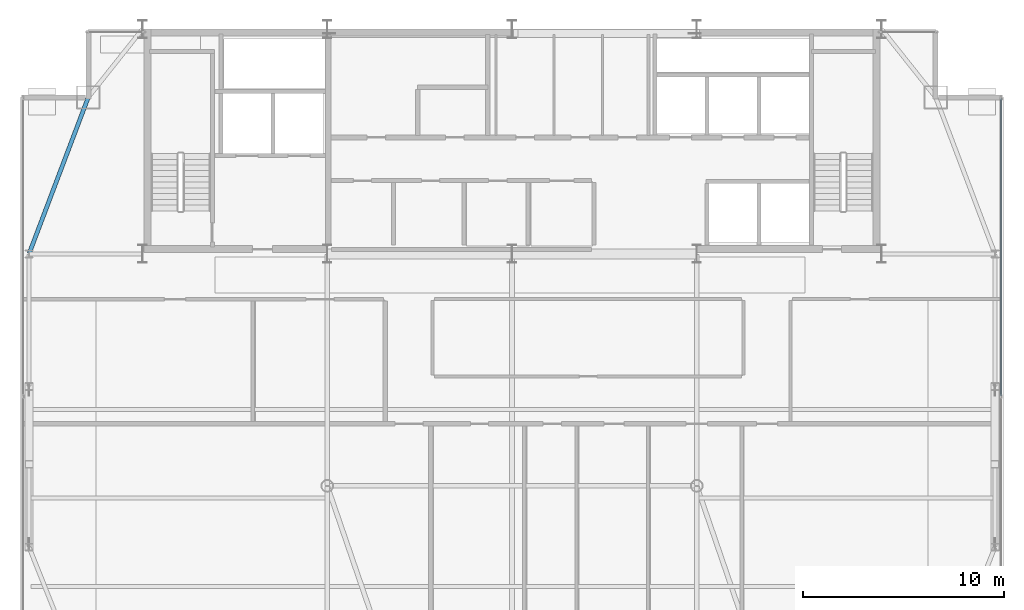
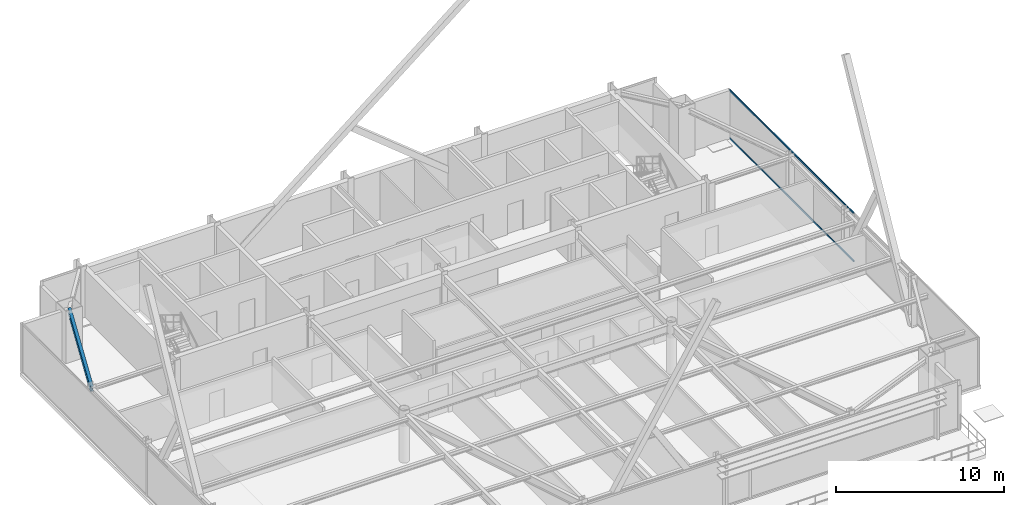
# One storey, part 21 of 33: 2 members, 1 beam, 1 element without a shape of its own.
"""IFC4 building model written with IfcOpenShell, lengths in metres."""

from ifc_helpers import new_model, si_unit, direction, frame, origin, origin_2d, place, context, subcontext, project, spatial, hollow_rectangle, i_section, extrude, source, transform, mapped, material, layer, layer_set, material_profile, profile_set, type_object, type_shapes, element, aggregate, save


model = new_model("IFC4")

# Units and contexts
model_context = context("Model", 3, precision=1e-05, world=origin(), true_north=direction((0.0, 1.0)))
body_context = subcontext(model_context, "Body", "Model", "MODEL_VIEW")
ifc_project = project(units=[si_unit("LENGTHUNIT", "METRE"), si_unit("AREAUNIT", "SQUARE_METRE"), si_unit("VOLUMEUNIT", "CUBIC_METRE"), si_unit("PLANEANGLEUNIT", "RADIAN"), si_unit("MASSUNIT", "GRAM", prefix="KILO")], contexts=[model_context])

# Site, building, storey
site_placement = place(None, origin())
site = spatial("IfcSite", under=ifc_project, at=site_placement, CompositionType="ELEMENT")
building_placement = place(site_placement, origin())
building = spatial("IfcBuilding", under=site, at=building_placement, Name="Varnel Quay Broadcast Tower", CompositionType="ELEMENT")
storey_placement = place(building_placement, frame((0.0, 0.0, 199.800048828125)))
storey = spatial("IfcBuildingStorey", under=building, at=storey_placement, Name="L49", CompositionType="ELEMENT", Elevation=199.800048828125)

# Beam
ifc_material_1 = material(Name="Structural Steel CSA G40.21 350W", Category="steel")
ifc_material_profile_1 = material_profile(ifc_material_1, i_section(OverallWidth=0.205078125, OverallDepth=0.35400390625, WebThickness=0.009521484375, FlangeThickness=0.016845703125, FilletRadius=0.012939453125, at=origin_2d()), Name="W360X79")
ifc_profile_set_1 = profile_set([ifc_material_profile_1], Name="Structural Steel CSA G40.21 350W")
beam_type = type_object("IfcBeamType", Name="Beam_W360X79", PredefinedType="SPANDREL", material=ifc_profile_set_1)
shared_shape_1 = source(origin(), body_context, "Body", "SweptSolid", [
    extrude(i_section(OverallWidth=0.205078125, OverallDepth=0.35400390625, WebThickness=0.009521484375, FlangeThickness=0.016845703125, FilletRadius=0.012939453125, at=origin_2d()), origin(), (0.0, 0.0, 1.0), 8.29931640625),
])
type_shapes(beam_type, [shared_shape_1])
beam_placement = place(storey_placement, frame((9.95703125, 35.61865234375, 3.373046875), z_axis=(0.353739782058, 0.935343876117, 0.0), x_axis=(-0.935343876117, 0.353739782058, 0.0)))
element("IfcBeam", 1, at=beam_placement, inside=storey, type_object=beam_type, Name="L49 West Spandrel TC-W3-MC-NW", PredefinedType="SPANDREL", context=body_context, shape_type="MappedRepresentation", body=[
    mapped(shared_shape_1, transform((0.0, 0.0, 0.0), x_axis=(1.0, 0.0, 0.0), y_axis=(0.0, 1.0, 0.0), z_axis=(0.0, 0.0, 1.0), scale=1.0)),
])

# Curtain wall, members
ifc_material_2 = material(Name="Anodised Bronze Aluminium 6063-T6", Category="aluminium")
ifc_layer = layer(ifc_material_2, 0.18994140625, Name="Anodised Bronze Aluminium 6063-T6")
ifc_layer_set = layer_set([ifc_layer], Name="Anodised Bronze Aluminium 6063-T6")
curtain_wall_type = type_object("IfcCurtainWallType", Name="CW_UpperTower", PredefinedType="NOTDEFINED", material=ifc_layer_set)
curtain_wall_placement = place(storey_placement, origin())
curtain_wall = element("IfcCurtainWall", 2, at=curtain_wall_placement, inside=storey, type_object=curtain_wall_type, Name="L49 East Unitised Curtain Wall", PredefinedType="NOTDEFINED")
ifc_material_profile_2 = material_profile(ifc_material_2, hollow_rectangle(XDim=0.06005859375, YDim=0.125, WallThickness=0.0029296875, at=origin_2d()), Name="ALU60X125X3")
ifc_profile_set_2 = profile_set([ifc_material_profile_2], Name="Anodised Bronze Aluminium 6063-T6")
member_type = type_object("IfcMemberType", Name="Tran_CWS-03", PredefinedType="USERDEFINED", material=ifc_profile_set_2)
shared_shape_2 = source(origin(), body_context, "Body", "SweptSolid", [
    extrude(hollow_rectangle(XDim=0.06005859375, YDim=0.125, WallThickness=0.0029296875, at=origin_2d()), origin(), (0.0, 0.0, 1.0), 14.802490234375),
])
type_shapes(member_type, [shared_shape_2])
member_1_placement = place(storey_placement, frame((58.35009765625, 28.532470703125, 0.030029296875), z_axis=(0.0, 1.0, 0.0), x_axis=(-1.0, 0.0, 0.0)))
member_1 = element("IfcMember", 3, at=member_1_placement, type_object=member_type, Name="CWS-03 transom 2.1", ObjectType="TRANSOM", PredefinedType="USERDEFINED", context=body_context, shape_type="MappedRepresentation", body=[
    mapped(shared_shape_2, transform((0.0, 0.0, 0.0), x_axis=(1.0, 0.0, 0.0), y_axis=(0.0, 1.0, 0.0), z_axis=(0.0, 0.0, 1.0), scale=1.0)),
])
member_2_placement = place(storey_placement, frame((58.35009765625, 28.532470703125, 3.52001953125), z_axis=(0.0, 1.0, 0.0), x_axis=(-1.0, 0.0, 0.0)))
member_2 = element("IfcMember", 4, at=member_2_placement, type_object=member_type, Name="CWS-03 transom 2.2", ObjectType="TRANSOM", PredefinedType="USERDEFINED", context=body_context, shape_type="MappedRepresentation", body=[
    mapped(shared_shape_2, transform((0.0, 0.0, 0.0), x_axis=(1.0, 0.0, 0.0), y_axis=(0.0, 1.0, 0.0), z_axis=(0.0, 0.0, 1.0), scale=1.0)),
])
aggregate(curtain_wall, [member_1, member_2])

save(model, "model.ifc")
